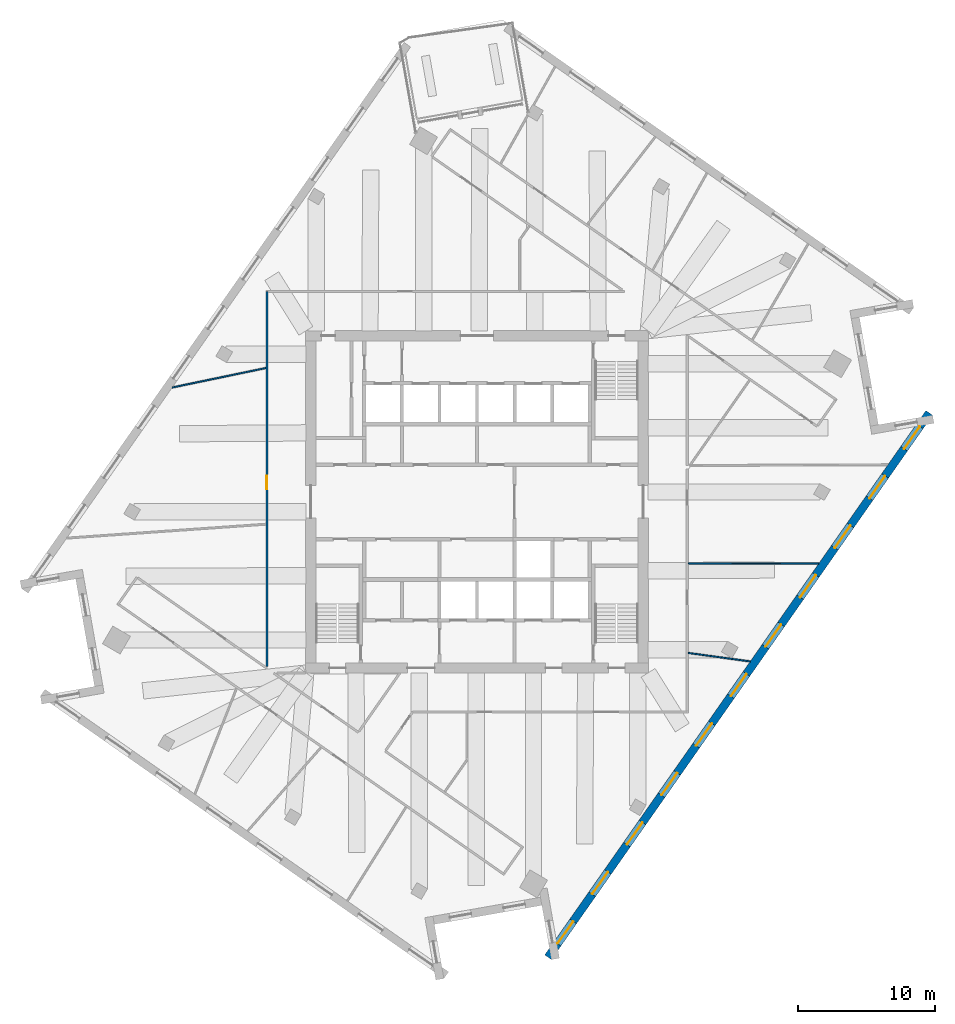
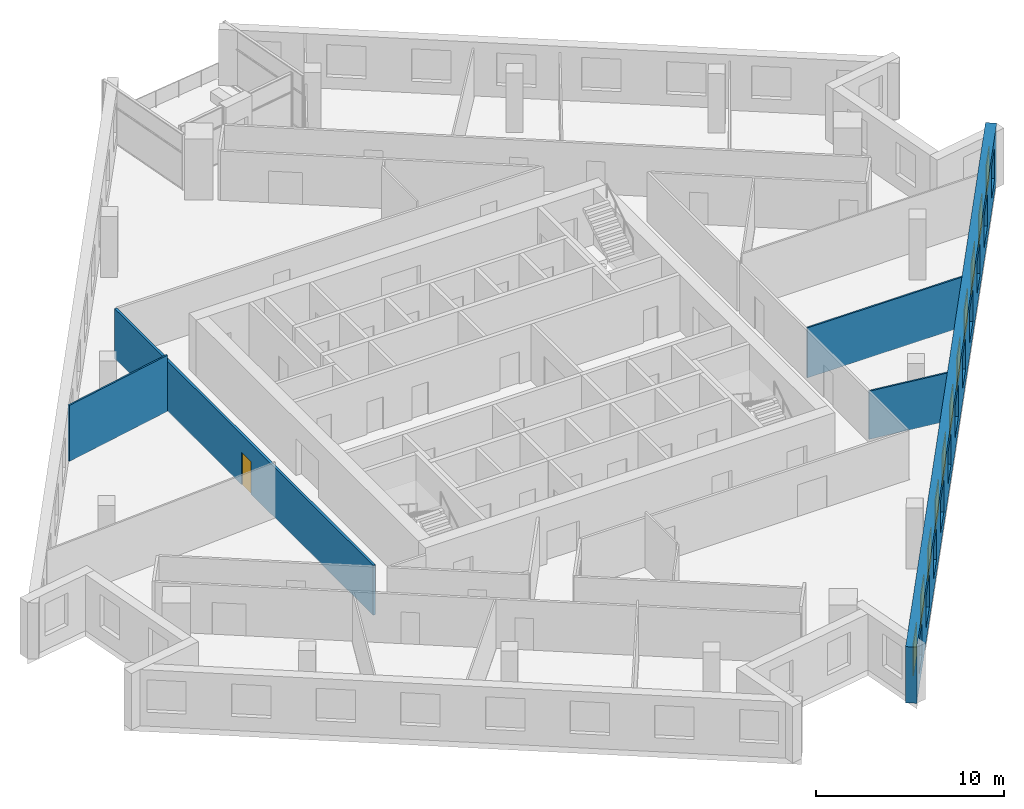
# One storey, part 8 of 13: 11 windows, 5 walls, 1 door, 12 openings.
"""IFC4 building model written with IfcOpenShell, lengths in metres."""

from ifc_helpers import new_model, si_unit, direction, frame, frame_2d, origin, place, context, subcontext, project, spatial, rectangle, extrude, material, layer, layer_set, type_object, element, fill, save


model = new_model("IFC4")

# Units and contexts
model_context = context("Model", 3, precision=1e-05, world=origin(), true_north=direction((0.0, 1.0)))
body_context = subcontext(model_context, "Body", "Model", "MODEL_VIEW")
ifc_project = project(units=[si_unit("LENGTHUNIT", "METRE"), si_unit("AREAUNIT", "SQUARE_METRE"), si_unit("VOLUMEUNIT", "CUBIC_METRE"), si_unit("PLANEANGLEUNIT", "RADIAN"), si_unit("MASSUNIT", "GRAM", prefix="KILO")], contexts=[model_context])

# Site, building, storey
site_placement = place(None, origin())
site = spatial("IfcSite", under=ifc_project, at=site_placement, CompositionType="ELEMENT")
building_placement = place(site_placement, origin())
building = spatial("IfcBuilding", under=site, at=building_placement, Name="Dilmun Exchange Tower", CompositionType="ELEMENT")
storey_placement = place(building_placement, frame((0.0, 0.0, 242.89990234375)))
storey = spatial("IfcBuildingStorey", under=building, at=storey_placement, Name="L57", CompositionType="ELEMENT", Elevation=242.89990234375)

# Wall, opening, door
ifc_material_1 = material(Name="Corridor wall 150")
ifc_layer_1 = layer(ifc_material_1, 0.14990234375)
ifc_layer_set_1 = layer_set([ifc_layer_1], Name="Corridor wall 150")
wall_type_1 = type_object("IfcWallType", Name="Corridor wall 150", PredefinedType="PARTITIONING", material=ifc_layer_set_1)
wall_1_placement = place(storey_placement, frame((-15.39990234375, -12.0458984375, 0.0), z_axis=(0.0, 0.0, 1.0), x_axis=(0.0, 1.0, 0.0)))
wall_1 = element("IfcWall", 1, at=wall_1_placement, inside=storey, type_object=wall_type_1, Name="Corridor wall", PredefinedType="PARTITIONING", context=body_context, shape_type="SweptSolid", body=[
    extrude(rectangle(XDim=27.44580078125, YDim=0.14990234375, at=frame_2d((13.722900390625, 0.0))), origin(), (0.0, 0.0, 1.0), 3.239990234375),
])
opening_1_placement = place(wall_1_placement, frame((12.9609375, 0.0, 0.0)))
opening_1 = element("IfcOpeningElement", 2, at=opening_1_placement, cuts=wall_1, Name="Opening TF57-D03", PredefinedType="OPENING", context=body_context, shape_type="SweptSolid", body=[
    extrude(rectangle(XDim=1.0, YDim=2.10009765625, at=frame_2d((0.5, 1.050048828125))), frame((0.0, 0.0849609375, 0.0), z_axis=(0.0, -1.0, 0.0), x_axis=(1.0, 0.0, 0.0)), (0.0, 0.0, 1.0), 0.169921875),
])
ifc_material_2 = material(Name="Fire door 1000 x 2100")
door_type = type_object("IfcDoorType", Name="Fire door 1000 x 2100", OperationType="NOTDEFINED", PredefinedType="DOOR", material=ifc_material_2)
door_placement = place(opening_1_placement, origin())
door = element("IfcDoor", 3, at=door_placement, inside=storey, type_object=door_type, Name="Door TF57-D03", OperationType="SINGLE_SWING_LEFT", OverallHeight=2.10009765625, OverallWidth=1.0, PredefinedType="DOOR", context=body_context, shape_type="SweptSolid", body=[
    extrude(rectangle(XDim=1.0, YDim=2.10009765625, at=frame_2d((0.5, 1.050048828125))), frame((0.0, 0.02490234375, 0.0), z_axis=(0.0, -1.0, 0.0), x_axis=(1.0, 0.0, 0.0)), (0.0, 0.0, 1.0), 0.050048828125),
])
fill(opening_1, door)

# Walls
ifc_material_3 = material(Name="Partition 100")
ifc_layer_2 = layer(ifc_material_3, 0.10009765625)
ifc_layer_set_2 = layer_set([ifc_layer_2], Name="Partition 100")
wall_type_2 = type_object("IfcWallType", Name="Partition 100", PredefinedType="PARTITIONING", material=ifc_layer_set_2)
wall_2_placement = place(storey_placement, frame((-22.331298828125, 8.3779296875, 0.0), z_axis=(0.0, 0.0, 1.0), x_axis=(0.97903673151, 0.203683770474, 0.0)))
element("IfcWall", 4, at=wall_2_placement, inside=storey, type_object=wall_type_2, Name="Partition", PredefinedType="PARTITIONING", context=body_context, shape_type="SweptSolid", body=[
    extrude(rectangle(XDim=6.99267578125, YDim=0.10009765625, at=frame_2d((3.496337890625, 0.0))), origin(), (0.0, 0.0, 1.0), 3.64013671875),
])
wall_3_placement = place(storey_placement, frame((15.481689453125, -11.068115234375, 0.0), z_axis=(0.0, 0.0, 1.0), x_axis=(0.990680100766, -0.136209169832, 0.0)))
element("IfcWall", 5, at=wall_3_placement, inside=storey, type_object=wall_type_2, Name="Partition", PredefinedType="PARTITIONING", context=body_context, shape_type="SweptSolid", body=[
    extrude(rectangle(XDim=4.572509765625, YDim=0.10009765625, at=frame_2d((2.2861328125, 0.0))), origin(), (0.0, 0.0, 1.0), 3.1201171875),
])
wall_4_placement = place(storey_placement, frame((15.47509765625, -4.502197265625, 0.0), z_axis=(0.0, 0.0, 1.0), x_axis=(0.999996329774, -0.00270932448, 0.0)))
element("IfcWall", 6, at=wall_4_placement, inside=storey, type_object=wall_type_2, Name="Partition", PredefinedType="PARTITIONING", context=body_context, shape_type="SweptSolid", body=[
    extrude(rectangle(XDim=9.5517578125, YDim=0.10009765625, at=frame_2d((4.77587890625, 0.0))), origin(), (0.0, 0.0, 1.0), 3.239990234375),
])

# Wall, openings, windows
ifc_material_4 = material(Name="Precast concrete C50/60", Category="concrete")
ifc_layer_3 = layer(ifc_material_4, 0.60009765625)
ifc_layer_set_3 = layer_set([ifc_layer_3], Name="Precast concrete C50/60")
wall_type_3 = type_object("IfcWallType", Name="Precast stone-clad wall 600", PredefinedType="STANDARD", material=ifc_layer_set_3)
wall_5_placement = place(storey_placement, frame((5.20556640625, -33.3623046875, 0.0), z_axis=(0.0, 0.0, 1.0), x_axis=(0.573577438409, 0.81915134264, 0.0)))
wall_5 = element("IfcWall", 7, at=wall_5_placement, inside=storey, type_object=wall_type_3, Name="Facade wall L57-11", PredefinedType="STANDARD", context=body_context, shape_type="SweptSolid", body=[
    extrude(rectangle(XDim=48.686279296875, YDim=0.60009765625, at=frame_2d((24.34326171875, 0.0))), origin(), (0.0, 0.0, 1.0), 3.64013671875),
])
opening_2_placement = place(wall_5_placement, frame((1.212890625, 0.0, 0.89990234375)))
opening_2 = element("IfcOpeningElement", 8, at=opening_2_placement, cuts=wall_5, Name="Opening W200-210", PredefinedType="OPENING", context=body_context, shape_type="SweptSolid", body=[
    extrude(rectangle(XDim=2.0, YDim=2.10009765625, at=frame_2d((1.0, 1.050048828125))), frame((0.0, 0.31005859375, 0.0), z_axis=(0.0, -1.0, 0.0), x_axis=(1.0, 0.0, 0.0)), (0.0, 0.0, 1.0), 0.6201171875),
])
opening_3_placement = place(wall_5_placement, frame((5.638916015625, 0.0, 0.89990234375)))
opening_3 = element("IfcOpeningElement", 9, at=opening_3_placement, cuts=wall_5, Name="Opening W200-210", PredefinedType="OPENING", context=body_context, shape_type="SweptSolid", body=[
    extrude(rectangle(XDim=2.0, YDim=2.10009765625, at=frame_2d((1.0, 1.050048828125))), frame((0.0, 0.31005859375, 0.0), z_axis=(0.0, -1.0, 0.0), x_axis=(1.0, 0.0, 0.0)), (0.0, 0.0, 1.0), 0.6201171875),
])
opening_4_placement = place(wall_5_placement, frame((10.065185546875, 0.0, 0.89990234375)))
opening_4 = element("IfcOpeningElement", 10, at=opening_4_placement, cuts=wall_5, Name="Opening W200-210", PredefinedType="OPENING", context=body_context, shape_type="SweptSolid", body=[
    extrude(rectangle(XDim=2.0, YDim=2.10009765625, at=frame_2d((1.0, 1.050048828125))), frame((0.0, 0.31005859375, 0.0), z_axis=(0.0, -1.0, 0.0), x_axis=(1.0, 0.0, 0.0)), (0.0, 0.0, 1.0), 0.6201171875),
])
opening_5_placement = place(wall_5_placement, frame((14.4912109375, 0.0, 0.89990234375)))
opening_5 = element("IfcOpeningElement", 11, at=opening_5_placement, cuts=wall_5, Name="Opening W200-210", PredefinedType="OPENING", context=body_context, shape_type="SweptSolid", body=[
    extrude(rectangle(XDim=2.0, YDim=2.10009765625, at=frame_2d((1.0, 1.050048828125))), frame((0.0, 0.31005859375, 0.0), z_axis=(0.0, -1.0, 0.0), x_axis=(1.0, 0.0, 0.0)), (0.0, 0.0, 1.0), 0.6201171875),
])
opening_6_placement = place(wall_5_placement, frame((18.9169921875, 0.0, 0.89990234375)))
opening_6 = element("IfcOpeningElement", 12, at=opening_6_placement, cuts=wall_5, Name="Opening W200-210", PredefinedType="OPENING", context=body_context, shape_type="SweptSolid", body=[
    extrude(rectangle(XDim=2.0, YDim=2.10009765625, at=frame_2d((1.0, 1.050048828125))), frame((0.0, 0.31005859375, 0.0), z_axis=(0.0, -1.0, 0.0), x_axis=(1.0, 0.0, 0.0)), (0.0, 0.0, 1.0), 0.6201171875),
])
opening_7_placement = place(wall_5_placement, frame((23.343017578125, 0.0, 0.89990234375)))
opening_7 = element("IfcOpeningElement", 13, at=opening_7_placement, cuts=wall_5, Name="Opening W200-210", PredefinedType="OPENING", context=body_context, shape_type="SweptSolid", body=[
    extrude(rectangle(XDim=2.0, YDim=2.10009765625, at=frame_2d((1.0, 1.050048828125))), frame((0.0, 0.31005859375, 0.0), z_axis=(0.0, -1.0, 0.0), x_axis=(1.0, 0.0, 0.0)), (0.0, 0.0, 1.0), 0.6201171875),
])
opening_8_placement = place(wall_5_placement, frame((27.769287109375, 0.0, 0.89990234375)))
opening_8 = element("IfcOpeningElement", 14, at=opening_8_placement, cuts=wall_5, Name="Opening W200-210", PredefinedType="OPENING", context=body_context, shape_type="SweptSolid", body=[
    extrude(rectangle(XDim=2.0, YDim=2.10009765625, at=frame_2d((1.0, 1.050048828125))), frame((0.0, 0.31005859375, 0.0), z_axis=(0.0, -1.0, 0.0), x_axis=(1.0, 0.0, 0.0)), (0.0, 0.0, 1.0), 0.6201171875),
])
opening_9_placement = place(wall_5_placement, frame((32.1953125, 0.0, 0.89990234375)))
opening_9 = element("IfcOpeningElement", 15, at=opening_9_placement, cuts=wall_5, Name="Opening W200-210", PredefinedType="OPENING", context=body_context, shape_type="SweptSolid", body=[
    extrude(rectangle(XDim=2.0, YDim=2.10009765625, at=frame_2d((1.0, 1.050048828125))), frame((0.0, 0.31005859375, 0.0), z_axis=(0.0, -1.0, 0.0), x_axis=(1.0, 0.0, 0.0)), (0.0, 0.0, 1.0), 0.6201171875),
])
opening_10_placement = place(wall_5_placement, frame((36.62109375, 0.0, 0.89990234375)))
opening_10 = element("IfcOpeningElement", 16, at=opening_10_placement, cuts=wall_5, Name="Opening W200-210", PredefinedType="OPENING", context=body_context, shape_type="SweptSolid", body=[
    extrude(rectangle(XDim=2.0, YDim=2.10009765625, at=frame_2d((1.0, 1.050048828125))), frame((0.0, 0.31005859375, 0.0), z_axis=(0.0, -1.0, 0.0), x_axis=(1.0, 0.0, 0.0)), (0.0, 0.0, 1.0), 0.6201171875),
])
opening_11_placement = place(wall_5_placement, frame((41.04736328125, 0.0, 0.89990234375)))
opening_11 = element("IfcOpeningElement", 17, at=opening_11_placement, cuts=wall_5, Name="Opening W200-210", PredefinedType="OPENING", context=body_context, shape_type="SweptSolid", body=[
    extrude(rectangle(XDim=2.0, YDim=2.10009765625, at=frame_2d((1.0, 1.050048828125))), frame((0.0, 0.31005859375, 0.0), z_axis=(0.0, -1.0, 0.0), x_axis=(1.0, 0.0, 0.0)), (0.0, 0.0, 1.0), 0.6201171875),
])
opening_12_placement = place(wall_5_placement, frame((45.473388671875, 0.0, 0.89990234375)))
opening_12 = element("IfcOpeningElement", 18, at=opening_12_placement, cuts=wall_5, Name="Opening W200-210", PredefinedType="OPENING", context=body_context, shape_type="SweptSolid", body=[
    extrude(rectangle(XDim=2.0, YDim=2.10009765625, at=frame_2d((1.0, 1.050048828125))), frame((0.0, 0.31005859375, 0.0), z_axis=(0.0, -1.0, 0.0), x_axis=(1.0, 0.0, 0.0)), (0.0, 0.0, 1.0), 0.6201171875),
])
ifc_material_5 = material(Name="Clear low-emissivity glass in aluminium frame", Category="aluminium")
window_type = type_object("IfcWindowType", Name="Punched window 2000 x 2100", PartitioningType="DOUBLE_PANEL_VERTICAL", PredefinedType="WINDOW", material=ifc_material_5)
window_1_placement = place(opening_2_placement, origin())
window_1 = element("IfcWindow", 19, at=window_1_placement, inside=storey, type_object=window_type, Name="Window 12.1", OverallHeight=2.10009765625, OverallWidth=2.0, PartitioningType="SINGLE_PANEL", PredefinedType="WINDOW", context=body_context, shape_type="SweptSolid", body=[
    extrude(rectangle(XDim=2.0, YDim=2.10009765625, at=frame_2d((1.0, 1.050048828125))), frame((0.0, 0.030029296875, 0.0), z_axis=(0.0, -1.0, 0.0), x_axis=(1.0, 0.0, 0.0)), (0.0, 0.0, 1.0), 0.06005859375),
])
fill(opening_2, window_1)
window_2_placement = place(opening_3_placement, origin())
window_2 = element("IfcWindow", 20, at=window_2_placement, inside=storey, type_object=window_type, Name="Window 12.2", OverallHeight=2.10009765625, OverallWidth=2.0, PartitioningType="SINGLE_PANEL", PredefinedType="WINDOW", context=body_context, shape_type="SweptSolid", body=[
    extrude(rectangle(XDim=2.0, YDim=2.10009765625, at=frame_2d((1.0, 1.050048828125))), frame((0.0, 0.030029296875, 0.0), z_axis=(0.0, -1.0, 0.0), x_axis=(1.0, 0.0, 0.0)), (0.0, 0.0, 1.0), 0.06005859375),
])
fill(opening_3, window_2)
window_3_placement = place(opening_4_placement, origin())
window_3 = element("IfcWindow", 21, at=window_3_placement, inside=storey, type_object=window_type, Name="Window 12.3", OverallHeight=2.10009765625, OverallWidth=2.0, PartitioningType="SINGLE_PANEL", PredefinedType="WINDOW", context=body_context, shape_type="SweptSolid", body=[
    extrude(rectangle(XDim=2.0, YDim=2.10009765625, at=frame_2d((1.0, 1.050048828125))), frame((0.0, 0.030029296875, 0.0), z_axis=(0.0, -1.0, 0.0), x_axis=(1.0, 0.0, 0.0)), (0.0, 0.0, 1.0), 0.06005859375),
])
fill(opening_4, window_3)
window_4_placement = place(opening_5_placement, origin())
window_4 = element("IfcWindow", 22, at=window_4_placement, inside=storey, type_object=window_type, Name="Window 12.4", OverallHeight=2.10009765625, OverallWidth=2.0, PartitioningType="SINGLE_PANEL", PredefinedType="WINDOW", context=body_context, shape_type="SweptSolid", body=[
    extrude(rectangle(XDim=2.0, YDim=2.10009765625, at=frame_2d((1.0, 1.050048828125))), frame((0.0, 0.030029296875, 0.0), z_axis=(0.0, -1.0, 0.0), x_axis=(1.0, 0.0, 0.0)), (0.0, 0.0, 1.0), 0.06005859375),
])
fill(opening_5, window_4)
window_5_placement = place(opening_6_placement, origin())
window_5 = element("IfcWindow", 23, at=window_5_placement, inside=storey, type_object=window_type, Name="Window 12.5", OverallHeight=2.10009765625, OverallWidth=2.0, PartitioningType="SINGLE_PANEL", PredefinedType="WINDOW", context=body_context, shape_type="SweptSolid", body=[
    extrude(rectangle(XDim=2.0, YDim=2.10009765625, at=frame_2d((1.0, 1.050048828125))), frame((0.0, 0.030029296875, 0.0), z_axis=(0.0, -1.0, 0.0), x_axis=(1.0, 0.0, 0.0)), (0.0, 0.0, 1.0), 0.06005859375),
])
fill(opening_6, window_5)
window_6_placement = place(opening_7_placement, origin())
window_6 = element("IfcWindow", 24, at=window_6_placement, inside=storey, type_object=window_type, Name="Window 12.6", OverallHeight=2.10009765625, OverallWidth=2.0, PartitioningType="SINGLE_PANEL", PredefinedType="WINDOW", context=body_context, shape_type="SweptSolid", body=[
    extrude(rectangle(XDim=2.0, YDim=2.10009765625, at=frame_2d((1.0, 1.050048828125))), frame((0.0, 0.030029296875, 0.0), z_axis=(0.0, -1.0, 0.0), x_axis=(1.0, 0.0, 0.0)), (0.0, 0.0, 1.0), 0.06005859375),
])
fill(opening_7, window_6)
window_7_placement = place(opening_8_placement, origin())
window_7 = element("IfcWindow", 25, at=window_7_placement, inside=storey, type_object=window_type, Name="Window 12.7", OverallHeight=2.10009765625, OverallWidth=2.0, PartitioningType="SINGLE_PANEL", PredefinedType="WINDOW", context=body_context, shape_type="SweptSolid", body=[
    extrude(rectangle(XDim=2.0, YDim=2.10009765625, at=frame_2d((1.0, 1.050048828125))), frame((0.0, 0.030029296875, 0.0), z_axis=(0.0, -1.0, 0.0), x_axis=(1.0, 0.0, 0.0)), (0.0, 0.0, 1.0), 0.06005859375),
])
fill(opening_8, window_7)
window_8_placement = place(opening_9_placement, origin())
window_8 = element("IfcWindow", 26, at=window_8_placement, inside=storey, type_object=window_type, Name="Window 12.8", OverallHeight=2.10009765625, OverallWidth=2.0, PartitioningType="SINGLE_PANEL", PredefinedType="WINDOW", context=body_context, shape_type="SweptSolid", body=[
    extrude(rectangle(XDim=2.0, YDim=2.10009765625, at=frame_2d((1.0, 1.050048828125))), frame((0.0, 0.030029296875, 0.0), z_axis=(0.0, -1.0, 0.0), x_axis=(1.0, 0.0, 0.0)), (0.0, 0.0, 1.0), 0.06005859375),
])
fill(opening_9, window_8)
window_9_placement = place(opening_10_placement, origin())
window_9 = element("IfcWindow", 27, at=window_9_placement, inside=storey, type_object=window_type, Name="Window 12.9", OverallHeight=2.10009765625, OverallWidth=2.0, PartitioningType="SINGLE_PANEL", PredefinedType="WINDOW", context=body_context, shape_type="SweptSolid", body=[
    extrude(rectangle(XDim=2.0, YDim=2.10009765625, at=frame_2d((1.0, 1.050048828125))), frame((0.0, 0.030029296875, 0.0), z_axis=(0.0, -1.0, 0.0), x_axis=(1.0, 0.0, 0.0)), (0.0, 0.0, 1.0), 0.06005859375),
])
fill(opening_10, window_9)
window_10_placement = place(opening_11_placement, origin())
window_10 = element("IfcWindow", 28, at=window_10_placement, inside=storey, type_object=window_type, Name="Window 12.10", OverallHeight=2.10009765625, OverallWidth=2.0, PartitioningType="SINGLE_PANEL", PredefinedType="WINDOW", context=body_context, shape_type="SweptSolid", body=[
    extrude(rectangle(XDim=2.0, YDim=2.10009765625, at=frame_2d((1.0, 1.050048828125))), frame((0.0, 0.030029296875, 0.0), z_axis=(0.0, -1.0, 0.0), x_axis=(1.0, 0.0, 0.0)), (0.0, 0.0, 1.0), 0.06005859375),
])
fill(opening_11, window_10)
window_11_placement = place(opening_12_placement, origin())
window_11 = element("IfcWindow", 29, at=window_11_placement, inside=storey, type_object=window_type, Name="Window 12.11", OverallHeight=2.10009765625, OverallWidth=2.0, PartitioningType="SINGLE_PANEL", PredefinedType="WINDOW", context=body_context, shape_type="SweptSolid", body=[
    extrude(rectangle(XDim=2.0, YDim=2.10009765625, at=frame_2d((1.0, 1.050048828125))), frame((0.0, 0.030029296875, 0.0), z_axis=(0.0, -1.0, 0.0), x_axis=(1.0, 0.0, 0.0)), (0.0, 0.0, 1.0), 0.06005859375),
])
fill(opening_12, window_11)

save(model, "model.ifc")
